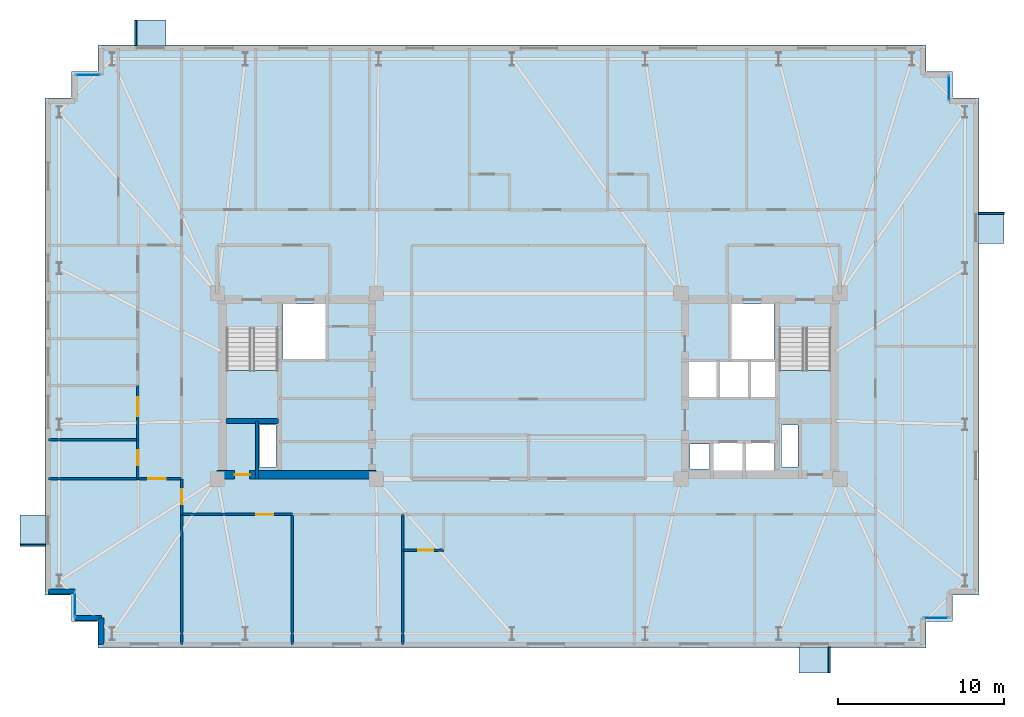
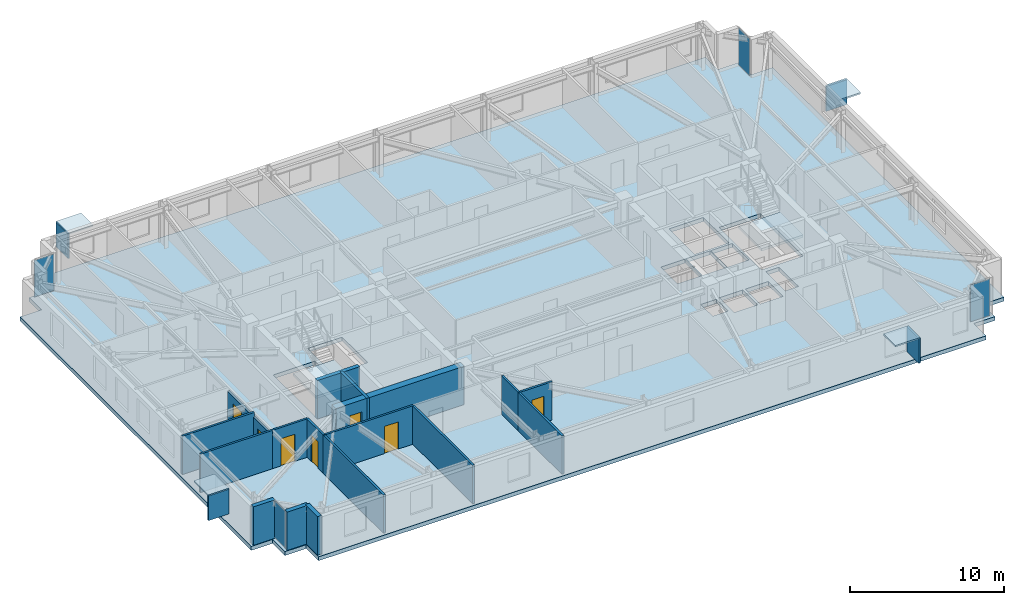
# One storey, part 10 of 17: 18 walls, 12 plates, 7 doors, 3 slabs, 7 openings, 6 elements without a shape of their own.
"""IFC4 building model written with IfcOpenShell, lengths in metres."""

from ifc_helpers import new_model, si_unit, direction, frame, frame_2d, origin, origin_2d, place, context, subcontext, project, spatial, polyline, rectangle, outline, extrude, material, layer, layer_set, type_object, element, fill, aggregate, save


model = new_model("IFC4")

# Units and contexts
model_context = context("Model", 3, precision=1e-05, world=origin(), true_north=direction((0.0, 1.0)))
body_context = subcontext(model_context, "Body", "Model", "MODEL_VIEW")
ifc_project = project(units=[si_unit("LENGTHUNIT", "METRE"), si_unit("AREAUNIT", "SQUARE_METRE"), si_unit("VOLUMEUNIT", "CUBIC_METRE"), si_unit("PLANEANGLEUNIT", "RADIAN"), si_unit("MASSUNIT", "GRAM", prefix="KILO")], contexts=[model_context])

# Site, building, storey
site_placement = place(None, origin())
site = spatial("IfcSite", under=ifc_project, at=site_placement, CompositionType="ELEMENT")
building_placement = place(site_placement, origin())
building = spatial("IfcBuilding", under=site, at=building_placement, Name="Qobustan Lattice House", CompositionType="ELEMENT")
storey_placement = place(building_placement, frame((0.0, 0.0, 167.85009765625)))
storey = spatial("IfcBuildingStorey", under=building, at=storey_placement, Name="L47", CompositionType="ELEMENT", Elevation=167.85009765625)

# Curtain wall, plate
ifc_material_1 = material(Name="Anodised aluminium and low-E glazing", Category="aluminium")
ifc_layer_1 = layer(ifc_material_1, 0.219970703125)
ifc_layer_set_1 = layer_set([ifc_layer_1], Name="Anodised aluminium and low-E glazing")
curtain_wall_type = type_object("IfcCurtainWallType", Name="CW-FAC-02", PredefinedType="USERDEFINED", material=ifc_layer_set_1)
curtain_wall_1_placement = place(storey_placement, origin())
curtain_wall_1 = element("IfcCurtainWall", 1, at=curtain_wall_1_placement, inside=storey, type_object=curtain_wall_type, Name="L47 serrated corner faceted glazing 3", ObjectType="CURTAIN WALL", PredefinedType="USERDEFINED")
ifc_material_2 = material(Name="Clear low-E laminated glass", Category="glass")
ifc_layer_2 = layer(ifc_material_2, 0.031982421875)
ifc_layer_set_2 = layer_set([ifc_layer_2], Name="Clear low-E laminated glass")
plate_type_1 = type_object("IfcPlateType", Name="CWP-VISION-32", PredefinedType="CURTAIN_PANEL", material=ifc_layer_set_2)
plate_1_placement = place(storey_placement, frame((-27.39990234375, -13.199951171875, 0.06494140625), z_axis=(0.0, 0.0, 1.0), x_axis=(0.0, 1.0, 0.0)))
plate_1 = element("IfcPlate", 2, at=plate_1_placement, type_object=plate_type_1, Name="CW-F2 panel 1.1", PredefinedType="CURTAIN_PANEL", context=body_context, shape_type="SweptSolid", body=[
    extrude(rectangle(XDim=1.4599609375, YDim=0.031982421875, at=origin_2d()), origin(), (0.0, 0.0, 1.0), 2.909912109375),
])
aggregate(curtain_wall_1, [plate_1])

curtain_wall_2_placement = place(storey_placement, origin())
curtain_wall_2 = element("IfcCurtainWall", 3, at=curtain_wall_2_placement, inside=storey, type_object=curtain_wall_type, Name="L47 serrated corner faceted glazing 8", ObjectType="CURTAIN WALL", PredefinedType="USERDEFINED")
plate_2_placement = place(storey_placement, frame((-26.60009765625, 18.800048828125, 0.06494140625), z_axis=(0.0, 0.0, 1.0), x_axis=(1.0, 0.0, 0.0)))
plate_2 = element("IfcPlate", 4, at=plate_2_placement, type_object=plate_type_1, Name="CW-F2 panel 1.1", PredefinedType="CURTAIN_PANEL", context=body_context, shape_type="SweptSolid", body=[
    extrude(rectangle(XDim=1.4599609375, YDim=0.031982421875, at=origin_2d()), origin(), (0.0, 0.0, 1.0), 2.909912109375),
])
aggregate(curtain_wall_2, [plate_2])

curtain_wall_3_placement = place(storey_placement, origin())
curtain_wall_3 = element("IfcCurtainWall", 5, at=curtain_wall_3_placement, inside=storey, type_object=curtain_wall_type, Name="L47 serrated corner faceted glazing 13", ObjectType="CURTAIN WALL", PredefinedType="USERDEFINED")
plate_3_placement = place(storey_placement, frame((25.39990234375, 18.0, 0.06494140625), z_axis=(0.0, 0.0, 1.0), x_axis=(0.0, -1.0, 0.0)))
plate_3 = element("IfcPlate", 6, at=plate_3_placement, type_object=plate_type_1, Name="CW-F2 panel 1.1", PredefinedType="CURTAIN_PANEL", context=body_context, shape_type="SweptSolid", body=[
    extrude(rectangle(XDim=1.4599609375, YDim=0.031982421875, at=origin_2d()), origin(), (0.0, 0.0, 1.0), 2.909912109375),
])
aggregate(curtain_wall_3, [plate_3])

curtain_wall_4_placement = place(storey_placement, origin())
curtain_wall_4 = element("IfcCurtainWall", 7, at=curtain_wall_4_placement, inside=storey, type_object=curtain_wall_type, Name="L47 serrated corner faceted glazing 18", ObjectType="CURTAIN WALL", PredefinedType="USERDEFINED")
plate_4_placement = place(storey_placement, frame((24.60009765625, -14.0, 0.06494140625), z_axis=(0.0, 0.0, 1.0), x_axis=(-1.0, 0.0, 0.0)))
plate_4 = element("IfcPlate", 8, at=plate_4_placement, type_object=plate_type_1, Name="CW-F2 panel 1.1", PredefinedType="CURTAIN_PANEL", context=body_context, shape_type="SweptSolid", body=[
    extrude(rectangle(XDim=1.4599609375, YDim=0.031982421875, at=origin_2d()), origin(), (0.0, 0.0, 1.0), 2.909912109375),
])
aggregate(curtain_wall_4, [plate_4])

# Plates
ifc_material_3 = material(Name="Qobustan limestone GFRC", Category="masonry")
ifc_layer_3 = layer(ifc_material_3, 0.1201171875)
ifc_layer_set_3 = layer_set([ifc_layer_3], Name="Qobustan limestone GFRC")
plate_type_2 = type_object("IfcPlateType", Name="SHD-HOOD-BROW", PredefinedType="USERDEFINED", material=ifc_layer_set_3)
plate_5_placement = place(storey_placement, frame((-29.929931640625, -8.719970703125, 2.699951171875), z_axis=(0.0, 0.0, 1.0), x_axis=(0.0, 1.0, 0.0)))
element("IfcPlate", 9, at=plate_5_placement, inside=storey, type_object=plate_type_2, Name="L47 splayed Qobustan stone hood brow", ObjectType="SUNSHADE", PredefinedType="USERDEFINED", context=body_context, shape_type="SweptSolid", body=[
    extrude(rectangle(XDim=1.889892578125, YDim=1.56005859375, at=origin_2d()), origin(), (0.0, 0.0, 1.0), 0.1201171875),
])
plate_6_placement = place(storey_placement, frame((-29.929931640625, -9.60498046875, 0.7900390625), z_axis=(0.0, 0.0, 1.0), x_axis=(0.0, 1.0, 0.0)))
element("IfcPlate", 10, at=plate_6_placement, inside=storey, type_object=plate_type_2, Name="L47 splayed Qobustan stone hood cheek", ObjectType="SUNSHADE", PredefinedType="USERDEFINED", context=body_context, shape_type="SweptSolid", body=[
    extrude(rectangle(XDim=0.1201171875, YDim=1.56005859375, at=origin_2d()), origin(), (0.0, 0.0, 1.0), 1.969970703125),
])
plate_7_placement = place(storey_placement, frame((-22.840087890625, 21.330078125, 2.699951171875), z_axis=(0.0, 0.0, 1.0), x_axis=(1.0, 0.0, 0.0)))
element("IfcPlate", 11, at=plate_7_placement, inside=storey, type_object=plate_type_2, Name="L47 splayed Qobustan stone hood brow", ObjectType="SUNSHADE", PredefinedType="USERDEFINED", context=body_context, shape_type="SweptSolid", body=[
    extrude(rectangle(XDim=1.889892578125, YDim=1.56005859375, at=origin_2d()), origin(), (0.0, 0.0, 1.0), 0.1201171875),
])
plate_8_placement = place(storey_placement, frame((-23.72509765625, 21.330078125, 0.7900390625), z_axis=(0.0, 0.0, 1.0), x_axis=(1.0, 0.0, 0.0)))
element("IfcPlate", 12, at=plate_8_placement, inside=storey, type_object=plate_type_2, Name="L47 splayed Qobustan stone hood cheek", ObjectType="SUNSHADE", PredefinedType="USERDEFINED", context=body_context, shape_type="SweptSolid", body=[
    extrude(rectangle(XDim=0.1201171875, YDim=1.56005859375, at=origin_2d()), origin(), (0.0, 0.0, 1.0), 1.969970703125),
])
plate_9_placement = place(storey_placement, frame((27.929931640625, 9.56005859375, 2.699951171875), z_axis=(0.0, 0.0, 1.0), x_axis=(0.0, -1.0, 0.0)))
element("IfcPlate", 13, at=plate_9_placement, inside=storey, type_object=plate_type_2, Name="L47 splayed Qobustan stone hood brow", ObjectType="SUNSHADE", PredefinedType="USERDEFINED", context=body_context, shape_type="SweptSolid", body=[
    extrude(rectangle(XDim=1.889892578125, YDim=1.56005859375, at=origin_2d()), origin(), (0.0, 0.0, 1.0), 0.1201171875),
])
plate_10_placement = place(storey_placement, frame((27.929931640625, 10.445068359375, 0.7900390625), z_axis=(0.0, 0.0, 1.0), x_axis=(0.0, -1.0, 0.0)))
element("IfcPlate", 14, at=plate_10_placement, inside=storey, type_object=plate_type_2, Name="L47 splayed Qobustan stone hood cheek", ObjectType="SUNSHADE", PredefinedType="USERDEFINED", context=body_context, shape_type="SweptSolid", body=[
    extrude(rectangle(XDim=0.1201171875, YDim=1.56005859375, at=origin_2d()), origin(), (0.0, 0.0, 1.0), 1.969970703125),
])
plate_11_placement = place(storey_placement, frame((17.280029296875, -16.530029296875, 2.699951171875), z_axis=(0.0, 0.0, 1.0), x_axis=(-1.0, 0.0, 0.0)))
element("IfcPlate", 15, at=plate_11_placement, inside=storey, type_object=plate_type_2, Name="L47 splayed Qobustan stone hood brow", ObjectType="SUNSHADE", PredefinedType="USERDEFINED", context=body_context, shape_type="SweptSolid", body=[
    extrude(rectangle(XDim=1.889892578125, YDim=1.56005859375, at=origin_2d()), origin(), (0.0, 0.0, 1.0), 0.1201171875),
])
plate_12_placement = place(storey_placement, frame((18.1650390625, -16.530029296875, 0.7900390625), z_axis=(0.0, 0.0, 1.0), x_axis=(-1.0, 0.0, 0.0)))
element("IfcPlate", 16, at=plate_12_placement, inside=storey, type_object=plate_type_2, Name="L47 splayed Qobustan stone hood cheek", ObjectType="SUNSHADE", PredefinedType="USERDEFINED", context=body_context, shape_type="SweptSolid", body=[
    extrude(rectangle(XDim=0.1201171875, YDim=1.56005859375, at=origin_2d()), origin(), (0.0, 0.0, 1.0), 1.969970703125),
])

# Slab
ifc_material_4 = material(Name="Concrete C40/50", Category="concrete")
ifc_layer_4 = layer(ifc_material_4, 0.31005859375)
ifc_layer_set_4 = layer_set([ifc_layer_4], Name="Concrete C40/50")
slab_type_1 = type_object("IfcSlabType", Name="SLB-FLR-310", PredefinedType="FLOOR", material=ifc_layer_set_4)
slab_1_placement = place(storey_placement, frame((0.0, 0.0, -0.31005859375)))
element("IfcSlab", 17, at=slab_1_placement, inside=storey, type_object=slab_type_1, Name="L47 structural floor slab", PredefinedType="FLOOR", context=body_context, shape_type="SweptSolid", body=[
    extrude(outline(polyline([(-26.0, -15.800048828125), (24.0, -15.800048828125), (24.0, -14.199951171875), (25.60009765625, -14.199951171875), (25.60009765625, -12.60009765625), (27.199951171875, -12.60009765625), (27.199951171875, 17.39990234375), (25.60009765625, 17.39990234375), (25.60009765625, 19.0), (24.0, 19.0), (24.0, 20.60009765625), (-26.0, 20.60009765625), (-26.0, 19.0), (-27.60009765625, 19.0), (-27.60009765625, 17.39990234375), (-29.199951171875, 17.39990234375), (-29.199951171875, -12.60009765625), (-27.60009765625, -12.60009765625), (-27.60009765625, -14.199951171875), (-26.0, -14.199951171875), (-26.0, -15.800048828125)]), holes=[polyline([(-18.25, -2.050048828125), (-18.25, 3.489990234375), (-15.1298828125, 3.489990234375), (-15.1298828125, -2.050048828125), (-18.25, -2.050048828125)]), polyline([(15.1298828125, -2.050048828125), (15.1298828125, 3.489990234375), (18.25, 3.489990234375), (18.25, -2.050048828125), (15.1298828125, -2.050048828125)]), polyline([(-14.820068359375, 1.64990234375), (-14.820068359375, 4.9599609375), (-12.25, 4.9599609375), (-12.25, 1.64990234375), (-14.820068359375, 1.64990234375)]), polyline([(12.25, 1.64990234375), (12.25, 4.9599609375), (14.820068359375, 4.9599609375), (14.820068359375, 1.64990234375), (12.25, 1.64990234375)]), polyline([(-16.260009765625, -4.8798828125), (-16.260009765625, -2.360107421875), (-15.260009765625, -2.360107421875), (-15.260009765625, -4.8798828125), (-16.260009765625, -4.8798828125)]), polyline([(15.260009765625, -4.8798828125), (15.260009765625, -2.360107421875), (16.260009765625, -2.360107421875), (16.260009765625, -4.8798828125), (15.260009765625, -4.8798828125)]), polyline([(11.179931640625, -5.35009765625), (11.179931640625, -3.419921875), (12.919921875, -3.419921875), (12.919921875, -5.35009765625), (11.179931640625, -5.35009765625)]), polyline([(13.1201171875, -5.35009765625), (13.1201171875, -3.419921875), (14.85009765625, -3.419921875), (14.85009765625, -5.35009765625), (13.1201171875, -5.35009765625)]), polyline([(9.760009765625, -5.0), (9.760009765625, -3.47998046875), (10.93994140625, -3.47998046875), (10.93994140625, -5.0), (9.760009765625, -5.0)]), polyline([(13.360107421875, -0.679931640625), (13.360107421875, 1.47998046875), (14.97998046875, 1.47998046875), (14.97998046875, -0.679931640625), (13.360107421875, -0.679931640625)]), polyline([(9.6201171875, -0.679931640625), (9.6201171875, 1.47998046875), (11.43994140625, 1.47998046875), (11.43994140625, -0.679931640625), (9.6201171875, -0.679931640625)]), polyline([(11.5, -0.679931640625), (11.5, 1.47998046875), (13.320068359375, 1.47998046875), (13.320068359375, -0.679931640625), (11.5, -0.679931640625)])]), origin(), (0.0, 0.0, 1.0), 0.31005859375),
])

# Stair, slab
ifc_material_5 = material(Name="Concrete C40/50", Category="concrete")
stair_type = type_object("IfcStairType", Name="STR-CORE-DOGLEG", PredefinedType="HALF_TURN_STAIR", material=ifc_material_5)
stair_1_placement = place(storey_placement, origin())
stair_1 = element("IfcStair", 18, at=stair_1_placement, inside=storey, type_object=stair_type, Name="L47 West protected exit stair ST-W1", PredefinedType="HALF_TURN_STAIR")
ifc_material_6 = material(Name="Concrete C40/50", Category="concrete")
ifc_layer_5 = layer(ifc_material_6, 0.199951171875)
ifc_layer_set_5 = layer_set([ifc_layer_5], Name="Concrete C40/50")
slab_type_2 = type_object("IfcSlabType", Name="SLB-LANDING-200", PredefinedType="LANDING", material=ifc_layer_set_5)
slab_2_placement = place(storey_placement, frame((0.0, 0.0, 1.474853515625)))
slab_2 = element("IfcSlab", 19, at=slab_2_placement, type_object=slab_type_2, Name="ST-W1 landing 1", PredefinedType="LANDING", context=body_context, shape_type="SweptSolid", body=[
    extrude(outline(polyline([(-18.25, 0.93505859375), (-18.25, -2.050048828125), (-15.1298828125, -2.050048828125), (-15.1298828125, 0.93505859375), (-18.25, 0.93505859375)])), origin(), (0.0, 0.0, 1.0), 0.199951171875),
])
aggregate(stair_1, [slab_2])

stair_2_placement = place(storey_placement, origin())
stair_2 = element("IfcStair", 20, at=stair_2_placement, inside=storey, type_object=stair_type, Name="L47 East protected exit stair ST-E1", PredefinedType="HALF_TURN_STAIR")
slab_3_placement = place(storey_placement, frame((0.0, 0.0, 1.474853515625)))
slab_3 = element("IfcSlab", 21, at=slab_3_placement, type_object=slab_type_2, Name="ST-E1 landing 1", PredefinedType="LANDING", context=body_context, shape_type="SweptSolid", body=[
    extrude(outline(polyline([(15.1298828125, 0.93505859375), (15.1298828125, -2.050048828125), (18.25, -2.050048828125), (18.25, 0.93505859375), (15.1298828125, 0.93505859375)])), origin(), (0.0, 0.0, 1.0), 0.199951171875),
])
aggregate(stair_2, [slab_3])

# Wall, opening, door
ifc_material_7 = material(Name="Concrete C50/60", Category="concrete")
ifc_layer_6 = layer(ifc_material_7, 0.5)
ifc_layer_set_6 = layer_set([ifc_layer_6], Name="Concrete C50/60")
wall_type_1 = type_object("IfcWallType", Name="WAL-CORE-500", PredefinedType="SHEAR", material=ifc_layer_set_6)
wall_1_placement = place(storey_placement, frame((-18.800048828125, -5.35009765625, 0.0), z_axis=(0.0, 0.0, 1.0), x_axis=(1.0, 0.0, 0.0)))
wall_1 = element("IfcWall", 22, at=wall_1_placement, inside=storey, type_object=wall_type_1, Name="L47 split-core shear wall CW-S", PredefinedType="SHEAR", context=body_context, shape_type="SweptSolid", body=[
    extrude(rectangle(XDim=9.60009765625, YDim=0.5, at=frame_2d((4.800048828125, 0.0))), origin(), (0.0, 0.0, 1.0), 3.039794921875),
])
opening_1_placement = place(wall_1_placement, frame((1.050048828125, 0.0, 0.0)))
opening_1 = element("IfcOpeningElement", 23, at=opening_1_placement, cuts=wall_1, Name="Opening RD-01", PredefinedType="OPENING", context=body_context, shape_type="SweptSolid", body=[
    extrude(rectangle(XDim=0.89990234375, YDim=2.10009765625, at=frame_2d((0.449951171875, 1.050048828125))), frame((0.0, 0.260009765625, 0.0), z_axis=(0.0, -1.0, 0.0), x_axis=(1.0, 0.0, 0.0)), (0.0, 0.0, 1.0), 0.52001953125),
])
ifc_material_8 = material(Name="Persian walnut timber and steel frame door", Category="steel")
door_type_1 = type_object("IfcDoorType", Name="DOR-RISER-FD-900x2100", OperationType="NOTDEFINED", PredefinedType="DOOR", material=ifc_material_8)
door_1_placement = place(opening_1_placement, origin())
door_1 = element("IfcDoor", 24, at=door_1_placement, inside=storey, type_object=door_type_1, Name="L47 core service riser access door W", OperationType="SINGLE_SWING_LEFT", OverallHeight=2.10009765625, OverallWidth=0.89990234375, PredefinedType="DOOR", context=body_context, shape_type="SweptSolid", body=[
    extrude(rectangle(XDim=0.89990234375, YDim=2.10009765625, at=frame_2d((0.449951171875, 1.050048828125))), frame((0.0, 0.02490234375, 0.0), z_axis=(0.0, -1.0, 0.0), x_axis=(1.0, 0.0, 0.0)), (0.0, 0.0, 1.0), 0.050048828125),
])
fill(opening_1, door_1)

# Walls
ifc_material_9 = material(Name="Concrete C50/60", Category="concrete")
ifc_layer_7 = layer(ifc_material_9, 0.280029296875)
ifc_layer_set_7 = layer_set([ifc_layer_7], Name="Concrete C50/60")
wall_type_2 = type_object("IfcWallType", Name="WAL-CORE-SPINE-280", PredefinedType="SHEAR", material=ifc_layer_set_7)
wall_2_placement = place(storey_placement, frame((-18.280029296875, -2.110107421875, 0.0), z_axis=(0.0, 0.0, 1.0), x_axis=(1.0, 0.0, 0.0)))
element("IfcWall", 25, at=wall_2_placement, inside=storey, type_object=wall_type_2, Name="L47 split-core shear wall CW-ST", PredefinedType="SHEAR", context=body_context, shape_type="SweptSolid", body=[
    extrude(rectangle(XDim=3.179931640625, YDim=0.300048828125, at=frame_2d((1.58984375, 0.0))), origin(), (0.0, 0.0, 1.0), 3.039794921875),
])
ifc_material_10 = material(Name="Precast concrete C40/50", Category="concrete")
ifc_layer_8 = layer(ifc_material_10, 0.320068359375)
ifc_layer_set_8 = layer_set([ifc_layer_8], Name="Precast concrete C40/50")
wall_type_3 = type_object("IfcWallType", Name="WAL-EXT-STONE-320", PredefinedType="SOLIDWALL", material=ifc_layer_set_8)
wall_3_placement = place(storey_placement, frame((-25.800048828125, -15.60009765625, 0.0), z_axis=(0.0, 0.0, 1.0), x_axis=(0.0, 1.0, 0.0)))
element("IfcWall", 26, at=wall_3_placement, inside=storey, type_object=wall_type_3, Name="L47 exterior limestone-clad wall 1", PredefinedType="SOLIDWALL", context=body_context, shape_type="SweptSolid", body=[
    extrude(rectangle(XDim=1.60009765625, YDim=0.320068359375, at=frame_2d((0.800048828125, 0.0))), origin(), (0.0, 0.0, 1.0), 3.039794921875),
])
wall_4_placement = place(storey_placement, frame((-25.800048828125, -14.0, 0.0), z_axis=(0.0, 0.0, 1.0), x_axis=(-1.0, 0.0, 0.0)))
element("IfcWall", 27, at=wall_4_placement, inside=storey, type_object=wall_type_3, Name="L47 exterior limestone-clad wall 2", PredefinedType="SOLIDWALL", context=body_context, shape_type="SweptSolid", body=[
    extrude(rectangle(XDim=1.599853515625, YDim=0.320068359375, at=frame_2d((0.7998046875, 0.0))), origin(), (0.0, 0.0, 1.0), 3.039794921875),
])
wall_5_placement = place(storey_placement, frame((-27.39990234375, -12.39990234375, 0.0), z_axis=(0.0, 0.0, 1.0), x_axis=(-1.0, 0.0, 0.0)))
element("IfcWall", 28, at=wall_5_placement, inside=storey, type_object=wall_type_3, Name="L47 exterior limestone-clad wall 4", PredefinedType="SOLIDWALL", context=body_context, shape_type="SweptSolid", body=[
    extrude(rectangle(XDim=1.60009765625, YDim=0.320068359375, at=frame_2d((0.800048828125, 0.0))), origin(), (0.0, 0.0, 1.0), 3.039794921875),
])

# Wall, opening, door
ifc_material_11 = material(Name="Acoustic twin-stud gypsum partition", Category="gypsum")
ifc_layer_9 = layer(ifc_material_11, 0.14990234375)
ifc_layer_set_9 = layer_set([ifc_layer_9], Name="Acoustic twin-stud gypsum partition")
wall_type_4 = type_object("IfcWallType", Name="WAL-PART-150", PredefinedType="PARTITIONING", material=ifc_layer_set_9)
wall_6_placement = place(storey_placement, frame((-20.949951171875, -7.75, 0.0), z_axis=(0.0, 0.0, 1.0), x_axis=(0.0, 1.0, 0.0)))
wall_6 = element("IfcWall", 29, at=wall_6_placement, inside=storey, type_object=wall_type_4, Name="L47 interior partition 46", PredefinedType="PARTITIONING", context=body_context, shape_type="SweptSolid", body=[
    extrude(rectangle(XDim=2.14990234375, YDim=0.14990234375, at=frame_2d((1.074951171875, 0.0))), origin(), (0.0, 0.0, 1.0), 3.039794921875),
])
opening_2_placement = place(wall_6_placement, frame((0.625, 0.0, 0.0)))
opening_2 = element("IfcOpeningElement", 30, at=opening_2_placement, cuts=wall_6, Name="Opening WD-01", PredefinedType="OPENING", context=body_context, shape_type="SweptSolid", body=[
    extrude(rectangle(XDim=0.89990234375, YDim=2.10009765625, at=frame_2d((0.449951171875, 1.050048828125))), frame((0.0, 0.0849609375, 0.0), z_axis=(0.0, -1.0, 0.0), x_axis=(1.0, 0.0, 0.0)), (0.0, 0.0, 1.0), 0.169921875),
])
ifc_material_12 = material(Name="Persian walnut timber and steel frame door", Category="steel")
door_type_2 = type_object("IfcDoorType", Name="DOR-WET-900x2100", OperationType="NOTDEFINED", PredefinedType="DOOR", material=ifc_material_12)
door_2_placement = place(opening_2_placement, origin())
door_2 = element("IfcDoor", 31, at=door_2_placement, inside=storey, type_object=door_type_2, Name="L47 South-west floor corridor to Reading study room L47WS door", OperationType="SINGLE_SWING_RIGHT", OverallHeight=2.10009765625, OverallWidth=0.89990234375, PredefinedType="DOOR", context=body_context, shape_type="SweptSolid", body=[
    extrude(rectangle(XDim=0.89990234375, YDim=2.10009765625, at=frame_2d((0.449951171875, 1.050048828125))), frame((0.0, 0.02490234375, 0.0), z_axis=(0.0, -1.0, 0.0), x_axis=(1.0, 0.0, 0.0)), (0.0, 0.0, 1.0), 0.050048828125),
])
fill(opening_2, door_2)

wall_7_placement = place(storey_placement, frame((-14.2666015625, -7.75, 0.0), z_axis=(0.0, 0.0, 1.0), x_axis=(-1.0, 0.0, 0.0)))
wall_7 = element("IfcWall", 32, at=wall_7_placement, inside=storey, type_object=wall_type_4, Name="L47 interior partition 47", PredefinedType="PARTITIONING", context=body_context, shape_type="SweptSolid", body=[
    extrude(rectangle(XDim=6.683349609375, YDim=0.14990234375, at=frame_2d((3.341796875, 0.0))), origin(), (0.0, 0.0, 1.0), 3.039794921875),
])
opening_3_placement = place(wall_7_placement, frame((1.13916015625, 0.0, 0.0)))
opening_3 = element("IfcOpeningElement", 33, at=opening_3_placement, cuts=wall_7, Name="Opening ID-02", PredefinedType="OPENING", context=body_context, shape_type="SweptSolid", body=[
    extrude(rectangle(XDim=1.050048828125, YDim=2.14990234375, at=frame_2d((0.52490234375, 1.074951171875))), frame((0.0, 0.0849609375, 0.0), z_axis=(0.0, -1.0, 0.0), x_axis=(1.0, 0.0, 0.0)), (0.0, 0.0, 1.0), 0.169921875),
])
ifc_material_13 = material(Name="Persian walnut timber and steel frame door", Category="steel")
door_type_3 = type_object("IfcDoorType", Name="DOR-STUDY-1050x2150", OperationType="NOTDEFINED", PredefinedType="DOOR", material=ifc_material_13)
door_3_placement = place(opening_3_placement, origin())
door_3 = element("IfcDoor", 34, at=door_3_placement, inside=storey, type_object=door_type_3, Name="L47 South-west floor corridor to Focus study room S1A door", OperationType="SINGLE_SWING_LEFT", OverallHeight=2.14990234375, OverallWidth=1.050048828125, PredefinedType="DOOR", context=body_context, shape_type="SweptSolid", body=[
    extrude(rectangle(XDim=1.050048828125, YDim=2.14990234375, at=frame_2d((0.52490234375, 1.074951171875))), frame((0.0, 0.02490234375, 0.0), z_axis=(0.0, -1.0, 0.0), x_axis=(1.0, 0.0, 0.0)), (0.0, 0.0, 1.0), 0.050048828125),
])
fill(opening_3, door_3)

wall_8_placement = place(storey_placement, frame((-20.949951171875, -5.60009765625, 0.0), z_axis=(0.0, 0.0, 1.0), x_axis=(-1.0, 0.0, 0.0)))
wall_8 = element("IfcWall", 35, at=wall_8_placement, inside=storey, type_object=wall_type_4, Name="L47 interior partition 68", PredefinedType="PARTITIONING", context=body_context, shape_type="SweptSolid", body=[
    extrude(rectangle(XDim=2.650146484375, YDim=0.14990234375, at=frame_2d((1.3251953125, 0.0))), origin(), (0.0, 0.0, 1.0), 3.039794921875),
])
opening_4_placement = place(wall_8_placement, frame((0.965087890625, 0.0, 0.0)))
opening_4 = element("IfcOpeningElement", 36, at=opening_4_placement, cuts=wall_8, Name="Opening ID-02", PredefinedType="OPENING", context=body_context, shape_type="SweptSolid", body=[
    extrude(rectangle(XDim=1.050048828125, YDim=2.14990234375, at=frame_2d((0.52490234375, 1.074951171875))), frame((0.0, 0.0849609375, 0.0), z_axis=(0.0, -1.0, 0.0), x_axis=(1.0, 0.0, 0.0)), (0.0, 0.0, 1.0), 0.169921875),
])
door_4_placement = place(opening_4_placement, origin())
door_4 = element("IfcDoor", 37, at=door_4_placement, inside=storey, type_object=door_type_3, Name="L47 Residence entrance hall L47W to Reading study room L47WS door", OperationType="SINGLE_SWING_LEFT", OverallHeight=2.14990234375, OverallWidth=1.050048828125, PredefinedType="DOOR", context=body_context, shape_type="SweptSolid", body=[
    extrude(rectangle(XDim=1.050048828125, YDim=2.14990234375, at=frame_2d((0.52490234375, 1.074951171875))), frame((0.0, 0.02490234375, 0.0), z_axis=(0.0, -1.0, 0.0), x_axis=(1.0, 0.0, 0.0)), (0.0, 0.0, 1.0), 0.050048828125),
])
fill(opening_4, door_4)

# Walls
for number, where, z_axis, x_axis, name in (
    (38, (-20.949951171875, -7.75, 0.0), (0.0, 0.0, 1.0), (0.0, -1.0, 0.0), "L47 interior partition 79"),
    (39, (-14.2666015625, -7.75, 0.0), (0.0, 0.0, 1.0), (0.0, -1.0, 0.0), "L47 interior partition 99"),
):
    element("IfcWall", number, at=place(storey_placement, frame(where, z_axis=z_axis, x_axis=x_axis)), inside=storey, type_object=wall_type_4, Name=name, PredefinedType="PARTITIONING", context=body_context, shape_type="SweptSolid", body=[
        extrude(rectangle(XDim=7.85009765625, YDim=0.14990234375, at=frame_2d((3.925048828125, 0.0))), origin(), (0.0, 0.0, 1.0), 3.039794921875),
    ])
wall_9_placement = place(storey_placement, frame((-7.5830078125, -9.89990234375, 0.0), z_axis=(0.0, 0.0, 1.0), x_axis=(0.0, -1.0, 0.0)))
element("IfcWall", 40, at=wall_9_placement, inside=storey, type_object=wall_type_4, Name="L47 interior partition 100", PredefinedType="PARTITIONING", context=body_context, shape_type="SweptSolid", body=[
    extrude(rectangle(XDim=5.7001953125, YDim=0.14990234375, at=frame_2d((2.85009765625, 0.0))), origin(), (0.0, 0.0, 1.0), 3.039794921875),
])

# Wall, opening, door
ifc_material_14 = material(Name="High-mass acoustic twin-stud partition", Category="gypsum")
ifc_layer_10 = layer(ifc_material_14, 0.1650390625)
ifc_layer_set_10 = layer_set([ifc_layer_10], Name="High-mass acoustic twin-stud partition")
wall_type_5 = type_object("IfcWallType", Name="WAL-PART-165", PredefinedType="PARTITIONING", material=ifc_layer_set_10)
wall_10_placement = place(storey_placement, frame((-23.60009765625, -3.25, 0.0), z_axis=(0.0, 0.0, 1.0), x_axis=(0.0, 1.0, 0.0)))
wall_10 = element("IfcWall", 41, at=wall_10_placement, inside=storey, type_object=wall_type_5, Name="L47 interior partition 70", PredefinedType="PARTITIONING", context=body_context, shape_type="SweptSolid", body=[
    extrude(rectangle(XDim=3.2900390625, YDim=0.1650390625, at=frame_2d((1.64501953125, 0.0))), origin(), (0.0, 0.0, 1.0), 2.69482421875),
])
opening_5_placement = place(wall_10_placement, frame((1.4375, 0.0, 0.0)))
opening_5 = element("IfcOpeningElement", 42, at=opening_5_placement, cuts=wall_10, Name="Opening ID-03", PredefinedType="OPENING", context=body_context, shape_type="SweptSolid", body=[
    extrude(rectangle(XDim=1.14990234375, YDim=2.14990234375, at=frame_2d((0.574951171875, 1.074951171875))), frame((0.0, 0.092529296875, 0.0), z_axis=(0.0, -1.0, 0.0), x_axis=(1.0, 0.0, 0.0)), (0.0, 0.0, 1.0), 0.18505859375),
])
ifc_material_15 = material(Name="Persian walnut timber and steel frame door", Category="steel")
door_type_4 = type_object("IfcDoorType", Name="DOR-KITCH-1150x2150", OperationType="NOTDEFINED", PredefinedType="DOOR", material=ifc_material_15)
door_5_placement = place(opening_5_placement, origin())
door_5 = element("IfcDoor", 43, at=door_5_placement, inside=storey, type_object=door_type_4, Name="L47 Residence entrance hall L47W to Shared kitchen L47W door", OperationType="SINGLE_SWING_LEFT", OverallHeight=2.14990234375, OverallWidth=1.14990234375, PredefinedType="DOOR", context=body_context, shape_type="SweptSolid", body=[
    extrude(rectangle(XDim=1.14990234375, YDim=2.14990234375, at=frame_2d((0.574951171875, 1.074951171875))), frame((0.0, 0.02490234375, 0.0), z_axis=(0.0, -1.0, 0.0), x_axis=(1.0, 0.0, 0.0)), (0.0, 0.0, 1.0), 0.050048828125),
])
fill(opening_5, door_5)

# Wall
ifc_material_16 = material(Name="Concrete C40/50", Category="concrete")
ifc_layer_11 = layer(ifc_material_16, 0.199951171875)
ifc_layer_set_11 = layer_set([ifc_layer_11], Name="Concrete C40/50")
wall_type_6 = type_object("IfcWallType", Name="WAL-SHAFT-200", PredefinedType="PARTITIONING", material=ifc_layer_set_11)
wall_11_placement = place(storey_placement, frame((-16.39990234375, -5.60009765625, 0.0), z_axis=(0.0, 0.0, 1.0), x_axis=(0.0, 1.0, 0.0)))
element("IfcWall", 44, at=wall_11_placement, inside=storey, type_object=wall_type_6, Name="L47 interior partition 1", PredefinedType="PARTITIONING", context=body_context, shape_type="SweptSolid", body=[
    extrude(rectangle(XDim=3.489990234375, YDim=0.199951171875, at=frame_2d((1.7451171875, 0.0))), origin(), (0.0, 0.0, 1.0), 3.039794921875),
])

# Wall, opening, door
ifc_material_17 = material(Name="Moisture-resistant acoustic plumbing wall", Category="gypsum")
ifc_layer_12 = layer(ifc_material_17, 0.14990234375)
ifc_layer_set_12 = layer_set([ifc_layer_12], Name="Moisture-resistant acoustic plumbing wall")
wall_type_7 = type_object("IfcWallType", Name="WAL-WET-150", PredefinedType="PLUMBINGWALL", material=ifc_layer_set_12)
wall_12_placement = place(storey_placement, frame((-23.60009765625, -5.60009765625, 0.0), z_axis=(0.0, 0.0, 1.0), x_axis=(0.0, 1.0, 0.0)))
wall_12 = element("IfcWall", 45, at=wall_12_placement, inside=storey, type_object=wall_type_7, Name="L47 interior partition 69", PredefinedType="PLUMBINGWALL", context=body_context, shape_type="SweptSolid", body=[
    extrude(rectangle(XDim=2.35009765625, YDim=0.14990234375, at=frame_2d((1.175048828125, 0.0))), origin(), (0.0, 0.0, 1.0), 2.69482421875),
])
opening_6_placement = place(wall_12_placement, frame((0.833740234375, 0.0, 0.0)))
opening_6 = element("IfcOpeningElement", 46, at=opening_6_placement, cuts=wall_12, Name="Opening WD-01", PredefinedType="OPENING", context=body_context, shape_type="SweptSolid", body=[
    extrude(rectangle(XDim=0.89990234375, YDim=2.10009765625, at=frame_2d((0.449951171875, 1.050048828125))), frame((0.0, 0.0849609375, 0.0), z_axis=(0.0, -1.0, 0.0), x_axis=(1.0, 0.0, 0.0)), (0.0, 0.0, 1.0), 0.169921875),
])
door_6_placement = place(opening_6_placement, origin())
door_6 = element("IfcDoor", 47, at=door_6_placement, inside=storey, type_object=door_type_2, Name="L47 Residence entrance hall L47W to Shared bathroom L47W door", OperationType="SINGLE_SWING_RIGHT", OverallHeight=2.10009765625, OverallWidth=0.89990234375, PredefinedType="DOOR", context=body_context, shape_type="SweptSolid", body=[
    extrude(rectangle(XDim=0.89990234375, YDim=2.10009765625, at=frame_2d((0.449951171875, 1.050048828125))), frame((0.0, 0.02490234375, 0.0), z_axis=(0.0, -1.0, 0.0), x_axis=(1.0, 0.0, 0.0)), (0.0, 0.0, 1.0), 0.050048828125),
])
fill(opening_6, door_6)

# Walls
for number, where, z_axis, x_axis, name in (
    (48, (-29.0, -5.60009765625, 0.0), (0.0, 0.0, 1.0), (1.0, 0.0, 0.0), "L47 interior partition 78"),
    (49, (-29.0, -3.25, 0.0), (0.0, 0.0, 1.0), (1.0, 0.0, 0.0), "L47 interior partition 80"),
):
    element("IfcWall", number, at=place(storey_placement, frame(where, z_axis=z_axis, x_axis=x_axis)), inside=storey, type_object=wall_type_7, Name=name, PredefinedType="PLUMBINGWALL", context=body_context, shape_type="SweptSolid", body=[
        extrude(rectangle(XDim=5.39990234375, YDim=0.14990234375, at=frame_2d((2.699951171875, 0.0))), origin(), (0.0, 0.0, 1.0), 3.039794921875),
    ])
wall_13_placement = place(storey_placement, frame((-7.5830078125, -7.75, 0.0), z_axis=(0.0, 0.0, 1.0), x_axis=(0.0, -1.0, 0.0)))
element("IfcWall", 50, at=wall_13_placement, inside=storey, type_object=wall_type_7, Name="L47 interior partition 101", PredefinedType="PLUMBINGWALL", context=body_context, shape_type="SweptSolid", body=[
    extrude(rectangle(XDim=2.14990234375, YDim=0.14990234375, at=frame_2d((1.074951171875, 0.0))), origin(), (0.0, 0.0, 1.0), 3.039794921875),
])

# Wall, opening, door
wall_14_placement = place(storey_placement, frame((-7.5830078125, -9.89990234375, 0.0), z_axis=(0.0, 0.0, 1.0), x_axis=(1.0, 0.0, 0.0)))
wall_14 = element("IfcWall", 51, at=wall_14_placement, inside=storey, type_object=wall_type_7, Name="L47 interior partition 102", PredefinedType="PLUMBINGWALL", context=body_context, shape_type="SweptSolid", body=[
    extrude(rectangle(XDim=2.449951171875, YDim=0.14990234375, at=frame_2d((1.22509765625, 0.0))), origin(), (0.0, 0.0, 1.0), 3.039794921875),
])
opening_7_placement = place(wall_14_placement, frame((0.92138671875, 0.0, 0.0)))
opening_7 = element("IfcOpeningElement", 52, at=opening_7_placement, cuts=wall_14, Name="Opening WD-01", PredefinedType="OPENING", context=body_context, shape_type="SweptSolid", body=[
    extrude(rectangle(XDim=0.89990234375, YDim=2.10009765625, at=frame_2d((0.449951171875, 1.050048828125))), frame((0.0, 0.0849609375, 0.0), z_axis=(0.0, -1.0, 0.0), x_axis=(1.0, 0.0, 0.0)), (0.0, 0.0, 1.0), 0.169921875),
])
door_7_placement = place(opening_7_placement, origin())
door_7 = element("IfcDoor", 53, at=door_7_placement, inside=storey, type_object=door_type_2, Name="L47 Kitchenette and studio apartment L47-S2 to En-suite bathroom L47-S2 door", OperationType="SINGLE_SWING_RIGHT", OverallHeight=2.10009765625, OverallWidth=0.89990234375, PredefinedType="DOOR", context=body_context, shape_type="SweptSolid", body=[
    extrude(rectangle(XDim=0.89990234375, YDim=2.10009765625, at=frame_2d((0.449951171875, 1.050048828125))), frame((0.0, 0.02490234375, 0.0), z_axis=(0.0, -1.0, 0.0), x_axis=(1.0, 0.0, 0.0)), (0.0, 0.0, 1.0), 0.050048828125),
])
fill(opening_7, door_7)

save(model, "model.ifc")
